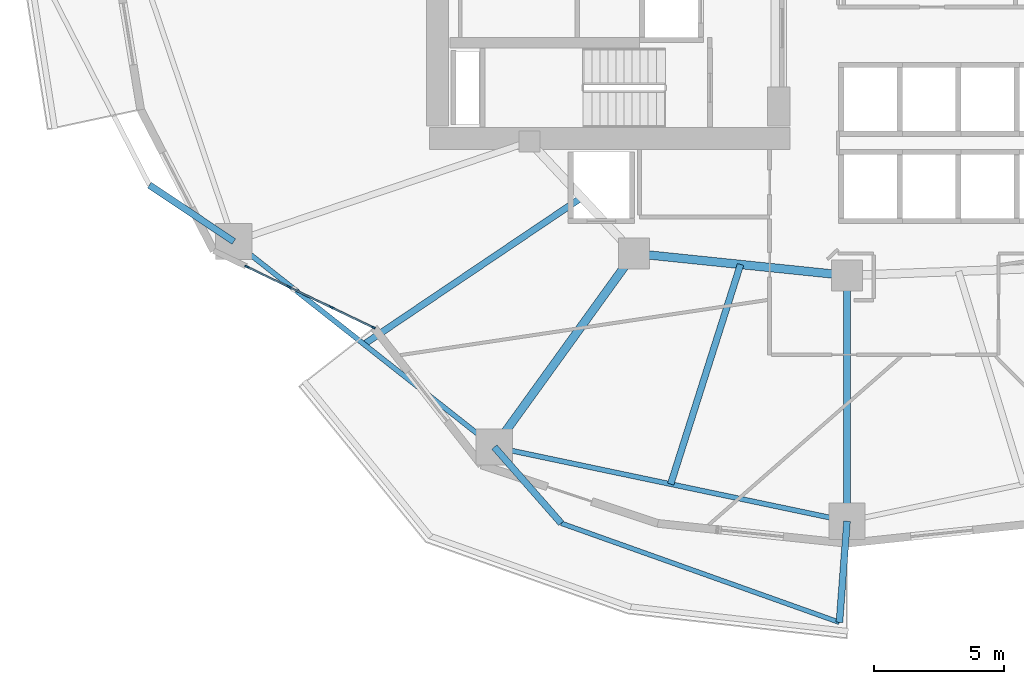
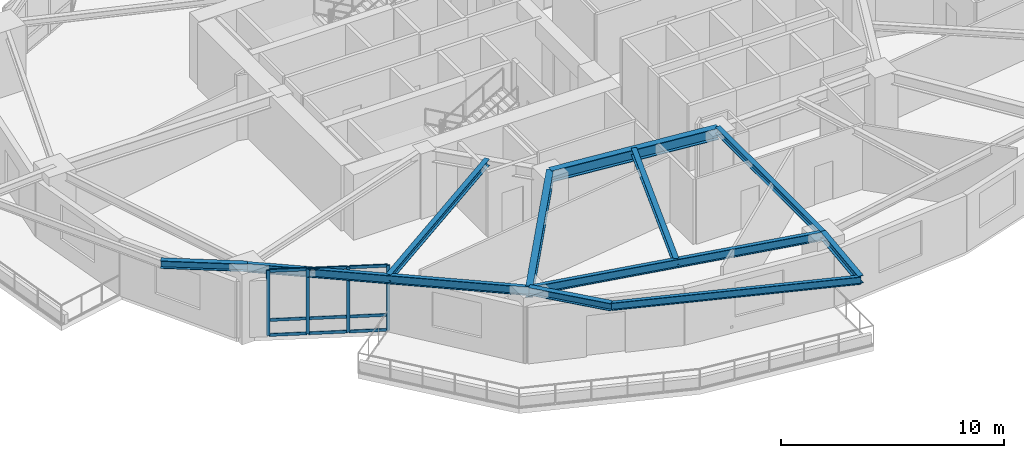
# One storey, part 2 of 14: 13 members, 11 beams, 1 element without a shape of its own.
"""IFC4 building model written with IfcOpenShell, lengths in metres."""

import ifcopenshell
import ifcopenshell.guid

model = None  # the IFC model being written
_history = None  # IfcOwnerHistory: only IFC2X3 demands one
_inside = {}  # id of a spatial element -> (the spatial element, [elements in it])
_under = {}  # id of a project, library or spatial element -> (it, [spatial elements below it])
_declared = {}  # id of a project -> (the project, [libraries it declares])
_typed = {}  # id of a type object -> (the type object, [elements of that type])
_made_of = {}  # id of a material, layer set ... -> (it, [elements and type objects made of it])


def new_model(schema):
    """Start an empty IFC model of exactly this schema.

    Asked for "IFC4X3", IfcOpenShell would pick the latest addendum, in which some entities
    have other attributes; the version numbers below select the first issue.
    IFC2X3 requires an IfcOwnerHistory on every rooted entity: one is made here for all.
    """
    global model, _history
    if schema == "IFC4X3":
        model = ifcopenshell.file(schema_version=(4, 3, 0, 0))
    else:
        model = ifcopenshell.file(schema=schema)
    _inside.clear()
    _under.clear()
    _declared.clear()
    _typed.clear()
    _made_of.clear()
    _history = None
    if model.schema == "IFC2X3":
        org = make("IfcOrganization", Name="unknown")
        user = make(
            "IfcPersonAndOrganization",
            ThePerson=make("IfcPerson", FamilyName="unknown"),
            TheOrganization=org,
        )
        app = make(
            "IfcApplication",
            ApplicationDeveloper=org,
            Version="unknown",
            ApplicationFullName="unknown",
            ApplicationIdentifier="unknown",
        )
        _history = make(
            "IfcOwnerHistory",
            OwningUser=user,
            OwningApplication=app,
            ChangeAction="ADDED",
            CreationDate=0,
        )
    return model


def make(cls, **values):
    """One entity of the class cls with the attributes given. An attribute that is None is left unset."""
    return model.create_entity(
        cls, **{name: value for name, value in values.items() if value is not None}
    )


def rooted(cls, **values):
    """An entity with a GlobalId (a new one), such as an element, a storey or a relation."""
    return make(cls, GlobalId=ifcopenshell.guid.new(), OwnerHistory=_history, **values)


def si_unit(unit_type, name, prefix=None):
    """IfcSIUnit, for example si_unit("LENGTHUNIT", "METRE", prefix="MILLI")."""
    return make("IfcSIUnit", UnitType=unit_type, Prefix=prefix, Name=name)


def assignment(units):
    """IfcUnitAssignment: the units of a project."""
    return None if units is None else make("IfcUnitAssignment", Units=units)


def point(xyz):
    """IfcCartesianPoint."""
    return None if xyz is None else make("IfcCartesianPoint", Coordinates=xyz)


def direction(xyz):
    """IfcDirection."""
    return None if xyz is None else make("IfcDirection", DirectionRatios=xyz)


def frame(location, z_axis=None, x_axis=None):
    """IfcAxis2Placement3D, a coordinate frame: its origin and axes. An axis left out is left unset."""
    return make(
        "IfcAxis2Placement3D",
        Location=point(location),
        Axis=direction(z_axis),
        RefDirection=direction(x_axis),
    )


def frame_2d(location, x_axis=None):
    """IfcAxis2Placement2D, a coordinate frame in the plane: its origin and x axis."""
    return make(
        "IfcAxis2Placement2D", Location=point(location), RefDirection=direction(x_axis)
    )


def origin():
    """The frame at (0, 0, 0) with its axes left unset."""
    return frame((0.0, 0.0, 0.0))


def origin_2d():
    """The frame at (0, 0) in the plane with its x axis left unset."""
    return frame_2d((0.0, 0.0))


def place(relative_to, where):
    """IfcLocalPlacement: puts the frame where relative to a parent placement (None: the world)."""
    return make(
        "IfcLocalPlacement", PlacementRelTo=relative_to, RelativePlacement=where
    )


def context(
    kind, dimensions, precision=None, world=None, true_north=None, identifier=None
):
    """IfcGeometricRepresentationContext, for example the 3D "Model" context."""
    return make(
        "IfcGeometricRepresentationContext",
        ContextIdentifier=identifier,
        ContextType=kind,
        CoordinateSpaceDimension=dimensions,
        Precision=precision,
        WorldCoordinateSystem=world,
        TrueNorth=true_north,
    )


def subcontext(parent, identifier, kind, view, scale=None):
    """IfcGeometricRepresentationSubContext, for example "Body" below "Model"."""
    return make(
        "IfcGeometricRepresentationSubContext",
        ContextIdentifier=identifier,
        ContextType=kind,
        ParentContext=parent,
        TargetScale=scale,
        TargetView=view,
    )


def project(units=None, contexts=None):
    """IfcProject with its units and contexts."""
    return rooted(
        "IfcProject",
        Name="project",
        RepresentationContexts=contexts,
        UnitsInContext=assignment(units),
    )


def spatial(cls, under=None, at=None, **own):
    """A site, building, storey or space (cls), placed at a placement, below another one or the project."""
    s = rooted(cls, ObjectPlacement=at, **own)
    if under is not None:
        _under.setdefault(under.id(), (under, []))[1].append(s)
    return s


def profile(cls, at=None, kind="AREA", **sizes):
    """A parametric profile (cls). Its sizes go by their IFC names, for example OverallWidth=200.0."""
    return make(cls, ProfileType=kind, Position=at, **sizes)


def rectangle(**sizes):
    """IfcRectangleProfileDef."""
    return profile("IfcRectangleProfileDef", **sizes)


def i_section(**sizes):
    """IfcIShapeProfileDef."""
    return profile("IfcIShapeProfileDef", **sizes)


def extrude(swept, where, along, depth):
    """IfcExtrudedAreaSolid: the profile swept, set in the frame where, extruded along a direction by depth."""
    return make(
        "IfcExtrudedAreaSolid",
        SweptArea=swept,
        Position=where,
        ExtrudedDirection=direction(along),
        Depth=depth,
    )


def shape(context_of_items, identifier, shape_type, items):
    """IfcShapeRepresentation: the items that make up one representation, for example the "Body"."""
    return make(
        "IfcShapeRepresentation",
        ContextOfItems=context_of_items,
        RepresentationIdentifier=identifier,
        RepresentationType=shape_type,
        Items=items,
    )


def material(Name=None, Category=None):
    """IfcMaterial."""
    return make("IfcMaterial", Name=Name, Category=Category)


def layer(
    of_material, thickness, ventilated=None, Name=None, Category=None, Priority=None
):
    """IfcMaterialLayer: one layer of a wall or slab, of a material (None: an air gap)."""
    return make(
        "IfcMaterialLayer",
        Material=of_material,
        LayerThickness=thickness,
        IsVentilated=ventilated,
        Name=Name,
        Category=Category,
        Priority=Priority,
    )


def layer_set(layers, Name=None):
    """IfcMaterialLayerSet."""
    return make("IfcMaterialLayerSet", MaterialLayers=layers, LayerSetName=Name)


def material_profile(
    of_material, cross_section, Name=None, Category=None, Priority=None
):
    """IfcMaterialProfile: a cross section and its material."""
    return make(
        "IfcMaterialProfile",
        Name=Name,
        Material=of_material,
        Profile=cross_section,
        Priority=Priority,
        Category=Category,
    )


def profile_set(profiles, Name=None, composite=None):
    """IfcMaterialProfileSet."""
    return make(
        "IfcMaterialProfileSet",
        Name=Name,
        MaterialProfiles=profiles,
        CompositeProfile=composite,
    )


def made_of(thing, what):
    """Note that an element or type object is made of a material, layer set ...; save() writes the relation."""
    if what is not None:
        _made_of.setdefault(what.id(), (what, []))[1].append(thing)
    return thing


def type_object(cls, material=None, **own):
    """A type object (cls), such as IfcWallType, which elements share."""
    return made_of(rooted(cls, **own), material)


def element(
    cls,
    number,
    at=None,
    inside=None,
    cuts=None,
    type_object=None,
    material=None,
    context=None,
    identifier="Body",
    shape_type=None,
    held_by="IfcProductDefinitionShape",
    body=None,
    shapes=None,
    **own,
):
    """One element of the class cls, such as IfcWall. Its Tag is "e" and its number.

    at: its placement. inside: the storey or other place that contains it. cuts: it is an
    opening in that element (IfcRelVoidsElement). A single representation is given by context,
    identifier, shape_type and body (its items); several are given by shapes. held_by: the class
    of the entity that holds the representations. save() writes the other relations.
    """
    e = rooted(cls, Tag="e%d" % number, ObjectPlacement=at, **own)
    if body is not None:
        shapes = [shape(context, identifier, shape_type, body)]
    if shapes is not None:
        e.Representation = make(held_by, Representations=shapes)
    if inside is not None:
        _inside.setdefault(inside.id(), (inside, []))[1].append(e)
    if cuts is not None:
        rooted(
            "IfcRelVoidsElement", RelatingBuildingElement=cuts, RelatedOpeningElement=e
        )
    if type_object is not None:
        _typed.setdefault(type_object.id(), (type_object, []))[1].append(e)
    return made_of(e, material)


def aggregate(whole, parts):
    """IfcRelAggregates: a whole, such as a stair, and the parts it consists of."""
    return rooted("IfcRelAggregates", RelatingObject=whole, RelatedObjects=parts)


def save(model, path):
    """Write the relations noted so far, then the file.

    IfcRelAggregates (storeys below a building ...), IfcRelContainedInSpatialStructure (elements
    in a storey), IfcRelDefinesByType, IfcRelAssociatesMaterial and IfcRelDeclares: one each for
    every whole, place, type object, material and project.
    """
    for whole, parts in _under.values():
        aggregate(whole, parts)
    for where, things in _inside.values():
        rooted(
            "IfcRelContainedInSpatialStructure",
            RelatedElements=things,
            RelatingStructure=where,
        )
    for kind, things in _typed.values():
        rooted("IfcRelDefinesByType", RelatedObjects=things, RelatingType=kind)
    for what, things in _made_of.values():
        rooted("IfcRelAssociatesMaterial", RelatedObjects=things, RelatingMaterial=what)
    for by, libraries in _declared.values():
        rooted("IfcRelDeclares", RelatingContext=by, RelatedDefinitions=libraries)
    model.write(path)


model = new_model("IFC4")

# Units and contexts
model_context = context("Model", 3, precision=1e-05, world=origin(), true_north=direction((0.0, 1.0)))
body_context = subcontext(model_context, "Body", "Model", "MODEL_VIEW")
ifc_project = project(units=[si_unit("LENGTHUNIT", "METRE"), si_unit("AREAUNIT", "SQUARE_METRE"), si_unit("VOLUMEUNIT", "CUBIC_METRE"), si_unit("PLANEANGLEUNIT", "RADIAN"), si_unit("MASSUNIT", "GRAM", prefix="KILO")], contexts=[model_context])

# Site, building, storey
site_placement = place(None, origin())
site = spatial("IfcSite", under=ifc_project, at=site_placement, CompositionType="ELEMENT")
building_placement = place(site_placement, origin())
building = spatial("IfcBuilding", under=site, at=building_placement, Name="Kolvaren Gate Tower and Convention Centre", CompositionType="ELEMENT")
storey_placement = place(building_placement, frame((0.0, 0.0, 45.75)))
storey = spatial("IfcBuildingStorey", under=building, at=storey_placement, Name="L10", CompositionType="ELEMENT", Elevation=45.75)

# Curtain wall, members
ifc_material_1 = material(Name="Anodized Architectural Aluminium Alloy 6063-T6", Category="aluminium")
ifc_layer = layer(ifc_material_1, 0.159912109375)
ifc_layer_set = layer_set([ifc_layer], Name="Anodized Architectural Aluminium Alloy 6063-T6")
curtain_wall_type = type_object("IfcCurtainWallType", Name="CW-OFF-UNIT", PredefinedType="NOTDEFINED", material=ifc_layer_set)
curtain_wall_placement = place(storey_placement, origin())
curtain_wall = element("IfcCurtainWall", 1, at=curtain_wall_placement, inside=storey, type_object=curtain_wall_type, Name="Tower L10 Unitised Curtain Wall CW-OFF-UNIT Bay 14", PredefinedType="NOTDEFINED")
ifc_material_profile_1 = material_profile(ifc_material_1, rectangle(XDim=0.06494140625, YDim=0.159912109375, at=origin_2d()), Name="CW-MEM-MUL-160")
ifc_profile_set_1 = profile_set([ifc_material_profile_1], Name="Anodized Architectural Aluminium Alloy 6063-T6")
member_type_1 = type_object("IfcMemberType", Name="CW-MEM-MUL-160", PredefinedType="MULLION", material=ifc_profile_set_1)
member_1_placement = place(storey_placement, frame((7.0419921875, 15.137939453125, 0.0), z_axis=(0.0, 0.0, 1.0), x_axis=(0.433056703319, 0.901366679942, 0.0)))
member_1 = element("IfcMember", 2, at=member_1_placement, type_object=member_type_1, Name="CW-02 mullion 1", PredefinedType="MULLION", context=body_context, shape_type="SweptSolid", body=[
    extrude(rectangle(XDim=0.06494140625, YDim=0.159912109375, at=origin_2d()), origin(), (0.0, 0.0, 1.0), 3.570068359375),
])
member_2_placement = place(storey_placement, frame((8.6533203125, 14.36376953125, 0.0), z_axis=(0.0, 0.0, 1.0), x_axis=(0.433056703319, 0.901366679942, 0.0)))
member_2 = element("IfcMember", 3, at=member_2_placement, type_object=member_type_1, Name="CW-02 mullion 2", PredefinedType="MULLION", context=body_context, shape_type="SweptSolid", body=[
    extrude(rectangle(XDim=0.06494140625, YDim=0.159912109375, at=origin_2d()), origin(), (0.0, 0.0, 1.0), 3.570068359375),
])
member_3_placement = place(storey_placement, frame((10.2939453125, 13.575439453125, 0.0), z_axis=(0.0, 0.0, 1.0), x_axis=(0.433056703319, 0.901366679942, 0.0)))
member_3 = element("IfcMember", 4, at=member_3_placement, type_object=member_type_1, Name="CW-02 mullion 3", PredefinedType="MULLION", context=body_context, shape_type="SweptSolid", body=[
    extrude(rectangle(XDim=0.06494140625, YDim=0.159912109375, at=origin_2d()), origin(), (0.0, 0.0, 1.0), 3.570068359375),
])
member_4_placement = place(storey_placement, frame((11.905517578125, 12.80126953125, 0.0), z_axis=(0.0, 0.0, 1.0), x_axis=(0.433056703319, 0.901366679942, 0.0)))
member_4 = element("IfcMember", 5, at=member_4_placement, type_object=member_type_1, Name="CW-02 mullion 4", PredefinedType="MULLION", context=body_context, shape_type="SweptSolid", body=[
    extrude(rectangle(XDim=0.06494140625, YDim=0.159912109375, at=origin_2d()), origin(), (0.0, 0.0, 1.0), 3.570068359375),
])
ifc_material_profile_2 = material_profile(ifc_material_1, rectangle(XDim=0.06494140625, YDim=0.159912109375, at=origin_2d()), Name="CW-MEM-TRN-160")
ifc_profile_set_2 = profile_set([ifc_material_profile_2], Name="Anodized Architectural Aluminium Alloy 6063-T6")
member_type_2 = type_object("IfcMemberType", Name="CW-MEM-TRN-160", PredefinedType="USERDEFINED", material=ifc_profile_set_2)
member_5_placement = place(storey_placement, frame((7.0712890625, 15.123779296875, 0.032470703125), z_axis=(0.901346061138, -0.433099616798, 0.0), x_axis=(0.433099616798, 0.901346061138, 0.0)))
member_5 = element("IfcMember", 6, at=member_5_placement, type_object=member_type_2, Name="CW-02 transom 1.1", ObjectType="TRANSOM", PredefinedType="USERDEFINED", context=body_context, shape_type="SweptSolid", body=[
    extrude(rectangle(XDim=0.06494140625, YDim=0.159912109375, at=origin_2d()), origin(), (0.0, 0.0, 1.0), 1.72265625),
])
member_6_placement = place(storey_placement, frame((7.0712890625, 15.123779296875, 0.85009765625), z_axis=(0.901346061138, -0.433099616798, 0.0), x_axis=(0.433099616798, 0.901346061138, 0.0)))
member_6 = element("IfcMember", 7, at=member_6_placement, type_object=member_type_2, Name="CW-02 transom 1.2", ObjectType="TRANSOM", PredefinedType="USERDEFINED", context=body_context, shape_type="SweptSolid", body=[
    extrude(rectangle(XDim=0.06494140625, YDim=0.159912109375, at=origin_2d()), origin(), (0.0, 0.0, 1.0), 1.72265625),
])
member_7_placement = place(storey_placement, frame((7.0712890625, 15.123779296875, 3.53759765625), z_axis=(0.901346061138, -0.433099616798, 0.0), x_axis=(0.433099616798, 0.901346061138, 0.0)))
member_7 = element("IfcMember", 8, at=member_7_placement, type_object=member_type_2, Name="CW-02 transom 1.3", ObjectType="TRANSOM", PredefinedType="USERDEFINED", context=body_context, shape_type="SweptSolid", body=[
    extrude(rectangle(XDim=0.06494140625, YDim=0.159912109375, at=origin_2d()), origin(), (0.0, 0.0, 1.0), 1.72265625),
])
member_8_placement = place(storey_placement, frame((8.6826171875, 14.349609375, 0.032470703125), z_axis=(0.901407995871, -0.4329706976, 0.0), x_axis=(0.4329706976, 0.901407995871, 0.0)))
member_8 = element("IfcMember", 9, at=member_8_placement, type_object=member_type_2, Name="CW-02 transom 2.1", ObjectType="TRANSOM", PredefinedType="USERDEFINED", context=body_context, shape_type="SweptSolid", body=[
    extrude(rectangle(XDim=0.06494140625, YDim=0.159912109375, at=origin_2d()), origin(), (0.0, 0.0, 1.0), 1.75537109375),
])
member_9_placement = place(storey_placement, frame((8.6826171875, 14.349609375, 0.85009765625), z_axis=(0.901407995871, -0.4329706976, 0.0), x_axis=(0.4329706976, 0.901407995871, 0.0)))
member_9 = element("IfcMember", 10, at=member_9_placement, type_object=member_type_2, Name="CW-02 transom 2.2", ObjectType="TRANSOM", PredefinedType="USERDEFINED", context=body_context, shape_type="SweptSolid", body=[
    extrude(rectangle(XDim=0.06494140625, YDim=0.159912109375, at=origin_2d()), origin(), (0.0, 0.0, 1.0), 1.75537109375),
])
member_10_placement = place(storey_placement, frame((8.6826171875, 14.349609375, 3.53759765625), z_axis=(0.901407995871, -0.4329706976, 0.0), x_axis=(0.4329706976, 0.901407995871, 0.0)))
member_10 = element("IfcMember", 11, at=member_10_placement, type_object=member_type_2, Name="CW-02 transom 2.3", ObjectType="TRANSOM", PredefinedType="USERDEFINED", context=body_context, shape_type="SweptSolid", body=[
    extrude(rectangle(XDim=0.06494140625, YDim=0.159912109375, at=origin_2d()), origin(), (0.0, 0.0, 1.0), 1.75537109375),
])
member_11_placement = place(storey_placement, frame((10.3232421875, 13.561279296875, 0.032470703125), z_axis=(0.901427946986, -0.43292915863, 0.0), x_axis=(0.43292915863, 0.901427946986, 0.0)))
member_11 = element("IfcMember", 12, at=member_11_placement, type_object=member_type_2, Name="CW-02 transom 3.1", ObjectType="TRANSOM", PredefinedType="USERDEFINED", context=body_context, shape_type="SweptSolid", body=[
    extrude(rectangle(XDim=0.06494140625, YDim=0.159912109375, at=origin_2d()), origin(), (0.0, 0.0, 1.0), 1.722900390625),
])
member_12_placement = place(storey_placement, frame((10.3232421875, 13.561279296875, 0.85009765625), z_axis=(0.901427946986, -0.43292915863, 0.0), x_axis=(0.43292915863, 0.901427946986, 0.0)))
member_12 = element("IfcMember", 13, at=member_12_placement, type_object=member_type_2, Name="CW-02 transom 3.2", ObjectType="TRANSOM", PredefinedType="USERDEFINED", context=body_context, shape_type="SweptSolid", body=[
    extrude(rectangle(XDim=0.06494140625, YDim=0.159912109375, at=origin_2d()), origin(), (0.0, 0.0, 1.0), 1.722900390625),
])
member_13_placement = place(storey_placement, frame((10.3232421875, 13.561279296875, 3.53759765625), z_axis=(0.901427946986, -0.43292915863, 0.0), x_axis=(0.43292915863, 0.901427946986, 0.0)))
member_13 = element("IfcMember", 14, at=member_13_placement, type_object=member_type_2, Name="CW-02 transom 3.3", ObjectType="TRANSOM", PredefinedType="USERDEFINED", context=body_context, shape_type="SweptSolid", body=[
    extrude(rectangle(XDim=0.06494140625, YDim=0.159912109375, at=origin_2d()), origin(), (0.0, 0.0, 1.0), 1.722900390625),
])
aggregate(curtain_wall, [member_1, member_2, member_3, member_4, member_5, member_6, member_7, member_8, member_9, member_10, member_11, member_12, member_13])

# Beams
ifc_material_2 = material(Name="Structural steel ASTM A992 Grade 345 MPa", Category="steel")
ifc_material_profile_3 = material_profile(ifc_material_2, i_section(OverallWidth=0.260009765625, OverallDepth=0.419921875, WebThickness=0.013427734375, FlangeThickness=0.0224609375, at=origin_2d()), Name="W410X132")
ifc_profile_set_3 = profile_set([ifc_material_profile_3], Name="Structural steel ASTM A992 Grade 345 MPa")
beam_type_1 = type_object("IfcBeamType", Name="STR-BM-W410X132", PredefinedType="BEAM", material=ifc_profile_set_3)
for number, where, z_axis, x_axis, name in (
    (15, (6.539794921875, 16.1064453125, 3.360595703125), (-0.831587723286, 0.555393426753, 0.0), (-0.555393426753, -0.831587723286, 0.0), "Tower L11 Planted Balcony Outrigger Cantilever BC-2B"),
    (16, (16.559814453125, 8.20361328125, 3.360595703125), (0.659563185181, -0.751649123431, 0.0), (0.751649123431, 0.659563185181, 0.0), "Tower L11 Planted Balcony Outrigger Cantilever BC-3A"),
):
    element("IfcBeam", number, at=place(storey_placement, frame(where, z_axis=z_axis, x_axis=x_axis)), inside=storey, type_object=beam_type_1, Name=name, PredefinedType="BEAM", context=body_context, shape_type="SweptSolid", body=[
        extrude(i_section(OverallWidth=0.260009765625, OverallDepth=0.419921875, WebThickness=0.013427734375, FlangeThickness=0.0224609375, at=origin_2d()), origin(), (0.0, 0.0, 1.0), 3.89990234375),
    ])
beam_1_placement = place(storey_placement, frame((30.125, 5.35009765625, 3.360595703125), z_axis=(-0.075116741735, -0.997174746527, 0.0), x_axis=(0.997174746527, -0.075116741735, 0.0)))
element("IfcBeam", 17, at=beam_1_placement, inside=storey, type_object=beam_type_1, Name="Tower L11 Planted Balcony Outrigger Cantilever BC-3B", PredefinedType="BEAM", context=body_context, shape_type="SweptSolid", body=[
    extrude(i_section(OverallWidth=0.260009765625, OverallDepth=0.419921875, WebThickness=0.013427734375, FlangeThickness=0.0224609375, at=origin_2d()), origin(), (0.0, 0.0, 1.0), 3.900146484375),
])
ifc_material_profile_4 = material_profile(ifc_material_2, i_section(OverallWidth=0.327880859375, OverallDepth=0.6279296875, WebThickness=0.0166015625, FlangeThickness=0.027587890625, at=origin_2d()), Name="W610X217")
ifc_profile_set_4 = profile_set([ifc_material_profile_4], Name="Structural steel ASTM A992 Grade 345 MPa")
beam_type_2 = type_object("IfcBeamType", Name="STR-BM-W610X217", PredefinedType="BEAM", material=ifc_profile_set_4)
beam_2_placement = place(storey_placement, frame((21.93212890625, 15.647705078125, 3.256103515625), z_axis=(0.994690329115, -0.102913308978, 0.0), x_axis=(0.102913308978, 0.994690329115, 0.0)))
element("IfcBeam", 18, at=beam_2_placement, inside=storey, type_object=beam_type_2, Name="Tower L10 Primary Ring Girder G-07", PredefinedType="BEAM", context=body_context, shape_type="SweptSolid", body=[
    extrude(i_section(OverallWidth=0.327880859375, OverallDepth=0.6279296875, WebThickness=0.0166015625, FlangeThickness=0.027587890625, at=origin_2d()), origin(), (0.0, 0.0, 1.0), 8.236572265625),
])
beam_3_placement = place(storey_placement, frame((21.93212890625, 15.647705078125, 3.256103515625), z_axis=(-0.585206018873, -0.810884649919, 0.0), x_axis=(0.810884649919, -0.585206018873, 0.0)))
element("IfcBeam", 19, at=beam_3_placement, inside=storey, type_object=beam_type_2, Name="Tower L10 Radial Floor Girder RB-09", PredefinedType="BEAM", context=body_context, shape_type="SweptSolid", body=[
    extrude(i_section(OverallWidth=0.327880859375, OverallDepth=0.6279296875, WebThickness=0.0166015625, FlangeThickness=0.027587890625, at=origin_2d()), origin(), (0.0, 0.0, 1.0), 9.18017578125),
])
ifc_material_profile_5 = material_profile(ifc_material_2, i_section(OverallWidth=0.2548828125, OverallDepth=0.35693359375, WebThickness=0.010498046875, FlangeThickness=0.018310546875, at=origin_2d()), Name="W360X101")
ifc_profile_set_5 = profile_set([ifc_material_profile_5], Name="Structural steel ASTM A992 Grade 345 MPa")
beam_type_3 = type_object("IfcBeamType", Name="STR-JS-W360X101", PredefinedType="JOIST", material=ifc_profile_set_5)
beam_4_placement = place(storey_placement, frame((30.125, 14.800048828125, 3.3916015625), z_axis=(0.0, -1.0, 0.0), x_axis=(1.0, 0.0, 0.0)))
element("IfcBeam", 20, at=beam_4_placement, inside=storey, type_object=beam_type_3, Name="Tower L10 Radial Floor Girder RB-10", PredefinedType="JOIST", context=body_context, shape_type="SweptSolid", body=[
    extrude(i_section(OverallWidth=0.2548828125, OverallDepth=0.35693359375, WebThickness=0.010498046875, FlangeThickness=0.018310546875, at=origin_2d()), origin(), (0.0, 0.0, 1.0), 9.449951171875),
])
beam_5_placement = place(storey_placement, frame((19.923095703125, 17.798828125, 3.3916015625), z_axis=(-0.829223797874, -0.558916713866, 0.0), x_axis=(0.558916713866, -0.829223797874, 0.0)))
element("IfcBeam", 21, at=beam_5_placement, inside=storey, type_object=beam_type_3, Name="Tower L10 Secondary Composite Floor Joist J-08.1", PredefinedType="JOIST", context=body_context, shape_type="SweptSolid", body=[
    extrude(i_section(OverallWidth=0.2548828125, OverallDepth=0.35693359375, WebThickness=0.010498046875, FlangeThickness=0.018310546875, at=origin_2d()), origin(), (0.0, 0.0, 1.0), 10.09765625),
])
beam_6_placement = place(storey_placement, frame((26.028564453125, 15.223876953125, 3.3916015625), z_axis=(-0.303059270932, -0.952971709078, 0.0), x_axis=(0.952971709078, -0.303059270932, 0.0)))
element("IfcBeam", 22, at=beam_6_placement, inside=storey, type_object=beam_type_3, Name="Tower L10 Secondary Composite Floor Joist J-09.1", PredefinedType="JOIST", context=body_context, shape_type="SweptSolid", body=[
    extrude(i_section(OverallWidth=0.2548828125, OverallDepth=0.35693359375, WebThickness=0.010498046875, FlangeThickness=0.018310546875, at=origin_2d()), origin(), (0.0, 0.0, 1.0), 8.86376953125),
])
ifc_material_profile_6 = material_profile(ifc_material_2, i_section(OverallWidth=0.180908203125, OverallDepth=0.4169921875, WebThickness=0.010986328125, FlangeThickness=0.018310546875, at=origin_2d()), Name="W410X85")
ifc_profile_set_6 = profile_set([ifc_material_profile_6], Name="Structural steel ASTM A992 Grade 345 MPa")
beam_type_4 = type_object("IfcBeamType", Name="STR-SP-W410X85", PredefinedType="SPANDREL", material=ifc_profile_set_6)
beam_7_placement = place(storey_placement, frame((19.132080078125, 5.272216796875, 3.362060546875), z_axis=(0.942024115542, -0.335545176894, 0.0), x_axis=(0.335545176894, 0.942024115542, 0.0)))
element("IfcBeam", 23, at=beam_7_placement, inside=storey, type_object=beam_type_4, Name="Tower L11 Planted Balcony Header Tie Beam BT-3", PredefinedType="SPANDREL", context=body_context, shape_type="SweptSolid", body=[
    extrude(i_section(OverallWidth=0.180908203125, OverallDepth=0.4169921875, WebThickness=0.010986328125, FlangeThickness=0.018310546875, at=origin_2d()), origin(), (0.0, 0.0, 1.0), 11.3583984375),
])
ifc_material_profile_7 = material_profile(ifc_material_2, i_section(OverallWidth=0.194091796875, OverallDepth=0.468994140625, WebThickness=0.0126953125, FlangeThickness=0.0205078125, at=origin_2d()), Name="W460X106")
ifc_profile_set_7 = profile_set([ifc_material_profile_7], Name="Structural steel ASTM A992 Grade 345 MPa")
beam_type_5 = type_object("IfcBeamType", Name="STR-SP-W460X106", PredefinedType="SPANDREL", material=ifc_profile_set_7)
beam_8_placement = place(storey_placement, frame((6.539794921875, 16.1064453125, 3.33544921875), z_axis=(0.785176498861, -0.619272044933, 0.0), x_axis=(0.619272044933, 0.785176498861, 0.0)))
element("IfcBeam", 24, at=beam_8_placement, inside=storey, type_object=beam_type_5, Name="Tower L10 Perimeter Spandrel Beam SP-08", PredefinedType="SPANDREL", context=body_context, shape_type="SweptSolid", body=[
    extrude(i_section(OverallWidth=0.194091796875, OverallDepth=0.468994140625, WebThickness=0.0126953125, FlangeThickness=0.0205078125, at=origin_2d()), origin(), (0.0, 0.0, 1.0), 12.761474609375),
])
beam_9_placement = place(storey_placement, frame((16.559814453125, 8.20361328125, 3.33544921875), z_axis=(0.978583407863, -0.205850707685, 0.0), x_axis=(0.205850707685, 0.978583407863, 0.0)))
element("IfcBeam", 25, at=beam_9_placement, inside=storey, type_object=beam_type_5, Name="Tower L10 Perimeter Spandrel Beam SP-09", PredefinedType="SPANDREL", context=body_context, shape_type="SweptSolid", body=[
    extrude(i_section(OverallWidth=0.194091796875, OverallDepth=0.468994140625, WebThickness=0.0126953125, FlangeThickness=0.0205078125, at=origin_2d()), origin(), (0.0, 0.0, 1.0), 13.862060546875),
])

save(model, "model.ifc")
